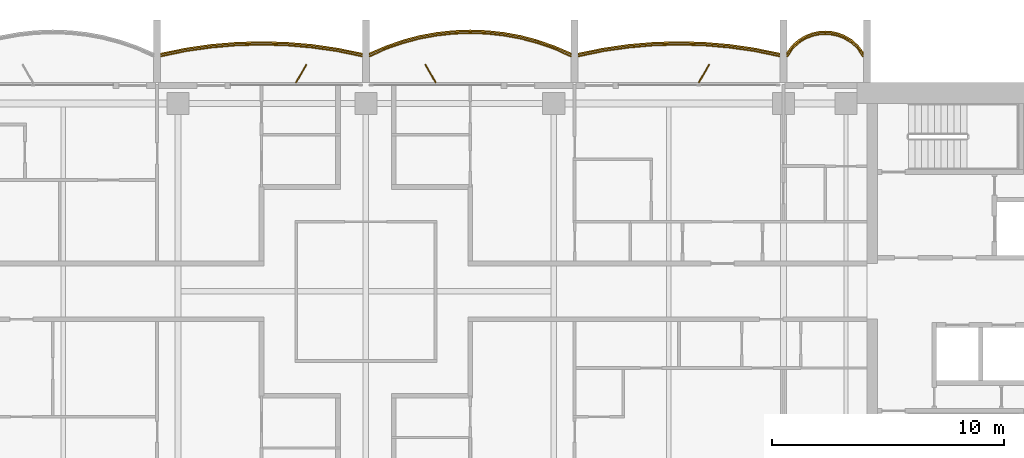
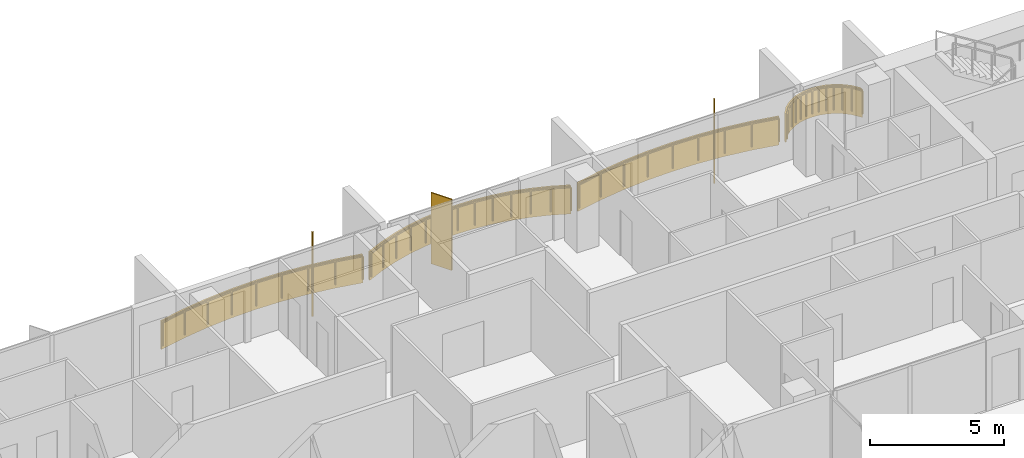
# One storey, part 18 of 18: 4 coverings, 4 railings, 3 shading devices.
"""IFC4 building model written with IfcOpenShell, lengths in metres."""

from ifc_helpers import new_model, si_unit, direction, frame, origin, origin_2d, place, context, subcontext, project, spatial, polyline, rectangle, outline, extrude, material, layer, layer_set, type_object, element, save


model = new_model("IFC4")

# Units and contexts
model_context = context("Model", 3, precision=1e-05, world=origin(), true_north=direction((0.0, 1.0)))
body_context = subcontext(model_context, "Body", "Model", "MODEL_VIEW")
ifc_project = project(units=[si_unit("LENGTHUNIT", "METRE"), si_unit("AREAUNIT", "SQUARE_METRE"), si_unit("VOLUMEUNIT", "CUBIC_METRE"), si_unit("PLANEANGLEUNIT", "RADIAN"), si_unit("MASSUNIT", "GRAM", prefix="KILO")], contexts=[model_context])

# Site, building, storey
site_placement = place(None, origin())
site = spatial("IfcSite", under=ifc_project, at=site_placement, CompositionType="ELEMENT")
building_placement = place(site_placement, origin())
building = spatial("IfcBuilding", under=site, at=building_placement, Name="Perihelion Cross Residences", CompositionType="ELEMENT")
storey_placement = place(building_placement, frame((0.0, 0.0, 173.60009765625)))
storey = spatial("IfcBuildingStorey", under=building, at=storey_placement, Name="L42", CompositionType="ELEMENT", Elevation=173.60009765625)

# Coverings
ifc_material_1 = material(Name="Bronze anodised aluminium", Category="aluminium")
ifc_layer_1 = layer(ifc_material_1, 0.070068359375)
ifc_layer_set_1 = layer_set([ifc_layer_1], Name="Balcony fascia 1300")
covering_type = type_object("IfcCoveringType", Name="Balcony fascia 1300", PredefinedType="CLADDING", material=ifc_layer_set_1)
covering_1_placement = place(storey_placement, frame((0.0, 0.0, -0.2001953125)))
element("IfcCovering", 1, at=covering_1_placement, inside=storey, type_object=covering_type, Name="Fascia BF1 L42 east side north bay 1", PredefinedType="CLADDING", context=body_context, shape_type="SweptSolid", body=[
    extrude(outline(polyline([(21.226318359375, 10.616455078125), (20.94091796875, 10.86328125), (20.655517578125, 11.031494140625), (20.370361328125, 11.142578125), (20.085205078125, 11.206298828125), (19.800048828125, 11.22705078125), (19.514892578125, 11.206298828125), (19.229736328125, 11.142578125), (18.9443359375, 11.031494140625), (18.6591796875, 10.86328125), (18.373779296875, 10.616455078125), (18.14990234375, 10.31689453125), (18.14990234375, 10.199951171875), (18.425048828125, 10.568603515625), (18.699951171875, 10.806396484375), (18.97509765625, 10.96875), (19.25, 11.07568359375), (19.52490234375, 11.136962890625), (19.800048828125, 11.156982421875), (20.074951171875, 11.136962890625), (20.35009765625, 11.07568359375), (20.625, 10.96875), (20.89990234375, 10.806396484375), (21.175048828125, 10.568603515625), (21.449951171875, 10.199951171875), (21.449951171875, 10.31689453125), (21.226318359375, 10.616455078125)])), origin(), (0.0, 0.0, 1.0), 1.300048828125),
])
covering_2_placement = place(storey_placement, frame((0.0, 0.0, -0.2001953125)))
element("IfcCovering", 2, at=covering_2_placement, inside=storey, type_object=covering_type, Name="Fascia BF1 L42 east side north bay 2", PredefinedType="CLADDING", context=body_context, shape_type="SweptSolid", body=[
    extrude(outline(polyline([(16.7744140625, 10.4892578125), (15.682861328125, 10.645751953125), (14.591552734375, 10.739013671875), (13.5, 10.77001953125), (12.408447265625, 10.739013671875), (11.317138671875, 10.645751953125), (10.2255859375, 10.4892578125), (9.14990234375, 10.271484375), (9.14990234375, 10.199951171875), (10.237548828125, 10.42041015625), (11.324951171875, 10.576171875), (12.41259765625, 10.669189453125), (13.5, 10.699951171875), (14.58740234375, 10.669189453125), (15.675048828125, 10.576171875), (16.762451171875, 10.42041015625), (17.85009765625, 10.199951171875), (17.85009765625, 10.271484375), (16.7744140625, 10.4892578125)])), origin(), (0.0, 0.0, 1.0), 1.300048828125),
])
covering_3_placement = place(storey_placement, frame((0.0, 0.0, -0.2001953125)))
element("IfcCovering", 3, at=covering_3_placement, inside=storey, type_object=covering_type, Name="Fascia BF1 L42 north side east bay 1", PredefinedType="CLADDING", context=body_context, shape_type="SweptSolid", body=[
    extrude(outline(polyline([(8.150634765625, 10.582275390625), (7.42041015625, 10.83544921875), (6.690185546875, 11.028076171875), (5.960205078125, 11.1630859375), (5.22998046875, 11.243408203125), (4.5, 11.27001953125), (3.77001953125, 11.243408203125), (3.039794921875, 11.1630859375), (2.309814453125, 11.028076171875), (1.57958984375, 10.83544921875), (0.849365234375, 10.582275390625), (0.14990234375, 10.2763671875), (0.14990234375, 10.199951171875), (0.875, 10.51708984375), (1.60009765625, 10.7685546875), (2.324951171875, 10.959716796875), (3.050048828125, 11.093994140625), (3.77490234375, 11.173583984375), (4.5, 11.199951171875), (5.22509765625, 11.173583984375), (5.949951171875, 11.093994140625), (6.675048828125, 10.959716796875), (7.39990234375, 10.7685546875), (8.125, 10.51708984375), (8.85009765625, 10.199951171875), (8.85009765625, 10.2763671875), (8.150634765625, 10.582275390625)])), origin(), (0.0, 0.0, 1.0), 1.300048828125),
])
covering_4_placement = place(storey_placement, frame((0.0, 0.0, -0.2001953125)))
element("IfcCovering", 4, at=covering_4_placement, inside=storey, type_object=covering_type, Name="Fascia BF1 L42 north side east bay 2", PredefinedType="CLADDING", context=body_context, shape_type="SweptSolid", body=[
    extrude(outline(polyline([(-1.2255859375, 10.4892578125), (-2.317138671875, 10.645751953125), (-3.408447265625, 10.739013671875), (-4.5, 10.77001953125), (-5.591552734375, 10.739013671875), (-6.682861328125, 10.645751953125), (-7.7744140625, 10.4892578125), (-8.85009765625, 10.271484375), (-8.85009765625, 10.199951171875), (-7.762451171875, 10.42041015625), (-6.675048828125, 10.576171875), (-5.58740234375, 10.669189453125), (-4.5, 10.699951171875), (-3.41259765625, 10.669189453125), (-2.324951171875, 10.576171875), (-1.237548828125, 10.42041015625), (-0.14990234375, 10.199951171875), (-0.14990234375, 10.271484375), (-1.2255859375, 10.4892578125)])), origin(), (0.0, 0.0, 1.0), 1.300048828125),
])

# Railings
ifc_material_2 = material(Name="Bronze anodised aluminium", Category="aluminium")
railing_type = type_object("IfcRailingType", Name="Balcony guard 1100", PredefinedType="GUARDRAIL", material=ifc_material_2)
railing_1_placement = place(storey_placement, frame((21.425048828125, 10.139892578125, 0.0)))
element("IfcRailing", 5, at=railing_1_placement, inside=storey, type_object=railing_type, Name="Guard GU1 L42 east side north bay 1 balcony", PredefinedType="GUARDRAIL", context=body_context, shape_type="SweptSolid", body=[
    extrude(rectangle(XDim=0.048095703125, YDim=0.048095703125, at=origin_2d()), frame((0.0, 0.0, 1.076171875), z_axis=(-0.561260132269, 0.827639452857, 0.0), x_axis=(-0.827639452857, -0.561260132269, 0.0)), (0.0, 0.0, 1.0), 0.4453125),
    extrude(rectangle(XDim=0.048095703125, YDim=0.048095703125, at=origin_2d()), frame((-0.25, 0.36865234375, 1.076171875), z_axis=(-0.756596535164, 0.653882009982, 0.0), x_axis=(-0.653882009982, -0.756596535164, 0.0)), (0.0, 0.0, 1.0), 0.36376953125),
    extrude(rectangle(XDim=0.048095703125, YDim=0.048095703125, at=origin_2d()), frame((-0.525146484375, 0.6064453125, 1.076171875), z_axis=(-0.861048292884, 0.508523192511, 0.0), x_axis=(-0.508523192511, -0.861048292884, 0.0)), (0.0, 0.0, 1.0), 0.3193359375),
    extrude(rectangle(XDim=0.048095703125, YDim=0.048095703125, at=origin_2d()), frame((-0.800048828125, 0.768798828125, 1.076171875), z_axis=(-0.931973602183, 0.362526143656, 0.0), x_axis=(-0.362526143656, -0.931973602183, 0.0)), (0.0, 0.0, 1.0), 0.294921875),
    extrude(rectangle(XDim=0.048095703125, YDim=0.048095703125, at=origin_2d()), frame((-1.074951171875, 0.875732421875, 1.076171875), z_axis=(-0.976085059389, 0.21738895289, 0.0), x_axis=(-0.21738895289, -0.976085059389, 0.0)), (0.0, 0.0, 1.0), 0.281982421875),
    extrude(rectangle(XDim=0.048095703125, YDim=0.048095703125, at=origin_2d()), frame((-1.35009765625, 0.93701171875, 1.076171875), z_axis=(-0.997358821833, 0.072631814734, 0.0), x_axis=(-0.072631814734, -0.997358821833, 0.0)), (0.0, 0.0, 1.0), 0.275634765625),
    extrude(rectangle(XDim=0.048095703125, YDim=0.048095703125, at=origin_2d()), frame((-1.625, 0.95703125, 1.076171875), z_axis=(-0.997363488337, -0.072567707226, 0.0), x_axis=(0.072567707226, -0.997363488337, 0.0)), (0.0, 0.0, 1.0), 0.27587890625),
    extrude(rectangle(XDim=0.048095703125, YDim=0.048095703125, at=origin_2d()), frame((-1.900146484375, 0.93701171875, 1.076171875), z_axis=(-0.976044077717, -0.217572880557, 0.0), x_axis=(0.217572880557, -0.976044077717, 0.0)), (0.0, 0.0, 1.0), 0.28173828125),
    extrude(rectangle(XDim=0.048095703125, YDim=0.048095703125, at=origin_2d()), frame((-2.175048828125, 0.875732421875, 1.076171875), z_axis=(-0.931973602183, -0.362526143656, 0.0), x_axis=(0.362526143656, -0.931973602183, 0.0)), (0.0, 0.0, 1.0), 0.294921875),
    extrude(rectangle(XDim=0.048095703125, YDim=0.048095703125, at=origin_2d()), frame((-2.449951171875, 0.768798828125, 1.076171875), z_axis=(-0.861245845072, -0.508188542123, 0.0), x_axis=(0.508188542123, -0.861245845072, 0.0)), (0.0, 0.0, 1.0), 0.319580078125),
    extrude(rectangle(XDim=0.048095703125, YDim=0.048095703125, at=origin_2d()), frame((-2.72509765625, 0.6064453125, 1.076171875), z_axis=(-0.756309278473, -0.654214242658, 0.0), x_axis=(0.654214242658, -0.756309278473, 0.0)), (0.0, 0.0, 1.0), 0.363525390625),
    extrude(rectangle(XDim=0.048095703125, YDim=0.048095703125, at=origin_2d()), frame((-3.0, 0.36865234375, 1.076171875), z_axis=(-0.561260132269, -0.827639452857, 0.0), x_axis=(0.827639452857, -0.561260132269, 0.0)), (0.0, 0.0, 1.0), 0.4453125),
    extrude(rectangle(XDim=0.0419921875, YDim=0.0419921875, at=origin_2d()), origin(), (0.0, 0.0, 1.0), 1.052001953125),
    extrude(rectangle(XDim=0.0419921875, YDim=0.0419921875, at=origin_2d()), frame((-0.25, 0.36865234375, 0.0)), (0.0, 0.0, 1.0), 1.052001953125),
    extrude(rectangle(XDim=0.0419921875, YDim=0.0419921875, at=origin_2d()), frame((-0.525146484375, 0.6064453125, 0.0)), (0.0, 0.0, 1.0), 1.052001953125),
    extrude(rectangle(XDim=0.0419921875, YDim=0.0419921875, at=origin_2d()), frame((-0.800048828125, 0.768798828125, 0.0)), (0.0, 0.0, 1.0), 1.052001953125),
    extrude(rectangle(XDim=0.0419921875, YDim=0.0419921875, at=origin_2d()), frame((-1.074951171875, 0.875732421875, 0.0)), (0.0, 0.0, 1.0), 1.052001953125),
    extrude(rectangle(XDim=0.0419921875, YDim=0.0419921875, at=origin_2d()), frame((-1.35009765625, 0.93701171875, 0.0)), (0.0, 0.0, 1.0), 1.052001953125),
    extrude(rectangle(XDim=0.0419921875, YDim=0.0419921875, at=origin_2d()), frame((-1.625, 0.95703125, 0.0)), (0.0, 0.0, 1.0), 1.052001953125),
    extrude(rectangle(XDim=0.0419921875, YDim=0.0419921875, at=origin_2d()), frame((-1.900146484375, 0.93701171875, 0.0)), (0.0, 0.0, 1.0), 1.052001953125),
    extrude(rectangle(XDim=0.0419921875, YDim=0.0419921875, at=origin_2d()), frame((-2.175048828125, 0.875732421875, 0.0)), (0.0, 0.0, 1.0), 1.052001953125),
    extrude(rectangle(XDim=0.0419921875, YDim=0.0419921875, at=origin_2d()), frame((-2.449951171875, 0.768798828125, 0.0)), (0.0, 0.0, 1.0), 1.052001953125),
    extrude(rectangle(XDim=0.0419921875, YDim=0.0419921875, at=origin_2d()), frame((-2.72509765625, 0.6064453125, 0.0)), (0.0, 0.0, 1.0), 1.052001953125),
    extrude(rectangle(XDim=0.0419921875, YDim=0.0419921875, at=origin_2d()), frame((-3.0, 0.36865234375, 0.0)), (0.0, 0.0, 1.0), 1.052001953125),
    extrude(rectangle(XDim=0.0419921875, YDim=0.0419921875, at=origin_2d()), frame((-3.25, 0.0, 0.0)), (0.0, 0.0, 1.0), 1.052001953125),
])
railing_2_placement = place(storey_placement, frame((17.824951171875, 10.139892578125, 0.0)))
element("IfcRailing", 6, at=railing_2_placement, inside=storey, type_object=railing_type, Name="Guard GU1 L42 east side north bay 2 balcony", PredefinedType="GUARDRAIL", context=body_context, shape_type="SweptSolid", body=[
    extrude(rectangle(XDim=0.048095703125, YDim=0.048095703125, at=origin_2d()), frame((0.0, 0.0, 1.076171875), z_axis=(-0.979144816647, 0.203163549961, 0.0), x_axis=(-0.203163549961, -0.979144816647, 0.0)), (0.0, 0.0, 1.0), 1.085205078125),
    extrude(rectangle(XDim=0.048095703125, YDim=0.048095703125, at=origin_2d()), frame((-1.0625, 0.220458984375, 1.076171875), z_axis=(-0.98989608354, 0.141794724135, 0.0), x_axis=(-0.141794724135, -0.98989608354, 0.0)), (0.0, 0.0, 1.0), 1.098388671875),
    extrude(rectangle(XDim=0.048095703125, YDim=0.048095703125, at=origin_2d()), frame((-2.14990234375, 0.376220703125, 1.076171875), z_axis=(-0.996362942492, 0.085210837506, 0.0), x_axis=(-0.085210837506, -0.996362942492, 0.0)), (0.0, 0.0, 1.0), 1.091552734375),
    extrude(rectangle(XDim=0.048095703125, YDim=0.048095703125, at=origin_2d()), frame((-3.237548828125, 0.46923828125, 1.076171875), z_axis=(-0.999600101203, 0.028277865458, 0.0), x_axis=(-0.028277865458, -0.999600101203, 0.0)), (0.0, 0.0, 1.0), 1.087890625),
    extrude(rectangle(XDim=0.048095703125, YDim=0.048095703125, at=origin_2d()), frame((-4.324951171875, 0.5, 1.076171875), z_axis=(-0.999600101203, -0.028277865458, 0.0), x_axis=(0.028277865458, -0.999600101203, 0.0)), (0.0, 0.0, 1.0), 1.087890625),
    extrude(rectangle(XDim=0.048095703125, YDim=0.048095703125, at=origin_2d()), frame((-5.412353515625, 0.46923828125, 1.076171875), z_axis=(-0.996362942492, -0.085210837506, 0.0), x_axis=(0.085210837506, -0.996362942492, 0.0)), (0.0, 0.0, 1.0), 1.091552734375),
    extrude(rectangle(XDim=0.048095703125, YDim=0.048095703125, at=origin_2d()), frame((-6.5, 0.376220703125, 1.076171875), z_axis=(-0.98989608354, -0.141794724135, 0.0), x_axis=(0.141794724135, -0.98989608354, 0.0)), (0.0, 0.0, 1.0), 1.098388671875),
    extrude(rectangle(XDim=0.048095703125, YDim=0.048095703125, at=origin_2d()), frame((-7.58740234375, 0.220458984375, 1.076171875), z_axis=(-0.979144816647, -0.203163549961, 0.0), x_axis=(0.203163549961, -0.979144816647, 0.0)), (0.0, 0.0, 1.0), 1.085205078125),
    extrude(rectangle(XDim=0.0419921875, YDim=0.0419921875, at=origin_2d()), origin(), (0.0, 0.0, 1.0), 1.052001953125),
    extrude(rectangle(XDim=0.0419921875, YDim=0.0419921875, at=origin_2d()), frame((-1.0625, 0.220458984375, 0.0)), (0.0, 0.0, 1.0), 1.052001953125),
    extrude(rectangle(XDim=0.0419921875, YDim=0.0419921875, at=origin_2d()), frame((-2.14990234375, 0.376220703125, 0.0)), (0.0, 0.0, 1.0), 1.052001953125),
    extrude(rectangle(XDim=0.0419921875, YDim=0.0419921875, at=origin_2d()), frame((-3.237548828125, 0.46923828125, 0.0)), (0.0, 0.0, 1.0), 1.052001953125),
    extrude(rectangle(XDim=0.0419921875, YDim=0.0419921875, at=origin_2d()), frame((-4.324951171875, 0.5, 0.0)), (0.0, 0.0, 1.0), 1.052001953125),
    extrude(rectangle(XDim=0.0419921875, YDim=0.0419921875, at=origin_2d()), frame((-5.412353515625, 0.46923828125, 0.0)), (0.0, 0.0, 1.0), 1.052001953125),
    extrude(rectangle(XDim=0.0419921875, YDim=0.0419921875, at=origin_2d()), frame((-6.5, 0.376220703125, 0.0)), (0.0, 0.0, 1.0), 1.052001953125),
    extrude(rectangle(XDim=0.0419921875, YDim=0.0419921875, at=origin_2d()), frame((-7.58740234375, 0.220458984375, 0.0)), (0.0, 0.0, 1.0), 1.052001953125),
    extrude(rectangle(XDim=0.0419921875, YDim=0.0419921875, at=origin_2d()), frame((-8.64990234375, 0.0, 0.0)), (0.0, 0.0, 1.0), 1.052001953125),
])
railing_3_placement = place(storey_placement, frame((8.824951171875, 10.139892578125, 0.0)))
element("IfcRailing", 7, at=railing_3_placement, inside=storey, type_object=railing_type, Name="Guard GU1 L42 north side east bay 1 balcony", PredefinedType="GUARDRAIL", context=body_context, shape_type="SweptSolid", body=[
    extrude(rectangle(XDim=0.048095703125, YDim=0.048095703125, at=origin_2d()), frame((0.0, 0.0, 1.076171875), z_axis=(-0.910866309087, 0.412701547089, 0.0), x_axis=(-0.412701547089, -0.910866309087, 0.0)), (0.0, 0.0, 1.0), 0.7685546875),
    extrude(rectangle(XDim=0.048095703125, YDim=0.048095703125, at=origin_2d()), frame((-0.699951171875, 0.317138671875, 1.076171875), z_axis=(-0.944796812452, 0.327656807012, 0.0), x_axis=(-0.327656807012, -0.944796812452, 0.0)), (0.0, 0.0, 1.0), 0.767578125),
    extrude(rectangle(XDim=0.048095703125, YDim=0.048095703125, at=origin_2d()), frame((-1.425048828125, 0.568603515625, 1.076171875), z_axis=(-0.966939404945, 0.255006249266, 0.0), x_axis=(-0.255006249266, -0.966939404945, 0.0)), (0.0, 0.0, 1.0), 0.749755859375),
    extrude(rectangle(XDim=0.048095703125, YDim=0.048095703125, at=origin_2d()), frame((-2.14990234375, 0.759765625, 1.076171875), z_axis=(-0.983282004984, 0.182089260182, 0.0), x_axis=(-0.182089260182, -0.983282004984, 0.0)), (0.0, 0.0, 1.0), 0.7373046875),
    extrude(rectangle(XDim=0.048095703125, YDim=0.048095703125, at=origin_2d()), frame((-2.875, 0.89404296875, 1.076171875), z_axis=(-0.994025805622, 0.109145305703, 0.0), x_axis=(-0.109145305703, -0.994025805622, 0.0)), (0.0, 0.0, 1.0), 0.729248046875),
    extrude(rectangle(XDim=0.048095703125, YDim=0.048095703125, at=origin_2d()), frame((-3.599853515625, 0.9736328125, 1.076171875), z_axis=(-0.999339497946, 0.036339618107, 0.0), x_axis=(-0.036339618107, -0.999339497946, 0.0)), (0.0, 0.0, 1.0), 0.7255859375),
    extrude(rectangle(XDim=0.048095703125, YDim=0.048095703125, at=origin_2d()), frame((-4.324951171875, 1.0, 1.076171875), z_axis=(-0.999339497946, -0.036339618107, 0.0), x_axis=(0.036339618107, -0.999339497946, 0.0)), (0.0, 0.0, 1.0), 0.7255859375),
    extrude(rectangle(XDim=0.048095703125, YDim=0.048095703125, at=origin_2d()), frame((-5.050048828125, 0.9736328125, 1.076171875), z_axis=(-0.994025805622, -0.109145305703, 0.0), x_axis=(0.109145305703, -0.994025805622, 0.0)), (0.0, 0.0, 1.0), 0.729248046875),
    extrude(rectangle(XDim=0.048095703125, YDim=0.048095703125, at=origin_2d()), frame((-5.77490234375, 0.89404296875, 1.076171875), z_axis=(-0.983282004984, -0.182089260182, 0.0), x_axis=(0.182089260182, -0.983282004984, 0.0)), (0.0, 0.0, 1.0), 0.7373046875),
    extrude(rectangle(XDim=0.048095703125, YDim=0.048095703125, at=origin_2d()), frame((-6.5, 0.759765625, 1.076171875), z_axis=(-0.966939404945, -0.255006249266, 0.0), x_axis=(0.255006249266, -0.966939404945, 0.0)), (0.0, 0.0, 1.0), 0.749755859375),
    extrude(rectangle(XDim=0.048095703125, YDim=0.048095703125, at=origin_2d()), frame((-7.224853515625, 0.568603515625, 1.076171875), z_axis=(-0.944796812452, -0.327656807012, 0.0), x_axis=(0.327656807012, -0.944796812452, 0.0)), (0.0, 0.0, 1.0), 0.767578125),
    extrude(rectangle(XDim=0.048095703125, YDim=0.048095703125, at=origin_2d()), frame((-7.949951171875, 0.317138671875, 1.076171875), z_axis=(-0.910866309087, -0.412701547089, 0.0), x_axis=(0.412701547089, -0.910866309087, 0.0)), (0.0, 0.0, 1.0), 0.7685546875),
    extrude(rectangle(XDim=0.0419921875, YDim=0.0419921875, at=origin_2d()), origin(), (0.0, 0.0, 1.0), 1.052001953125),
    extrude(rectangle(XDim=0.0419921875, YDim=0.0419921875, at=origin_2d()), frame((-0.699951171875, 0.317138671875, 0.0)), (0.0, 0.0, 1.0), 1.052001953125),
    extrude(rectangle(XDim=0.0419921875, YDim=0.0419921875, at=origin_2d()), frame((-1.425048828125, 0.568603515625, 0.0)), (0.0, 0.0, 1.0), 1.052001953125),
    extrude(rectangle(XDim=0.0419921875, YDim=0.0419921875, at=origin_2d()), frame((-2.14990234375, 0.759765625, 0.0)), (0.0, 0.0, 1.0), 1.052001953125),
    extrude(rectangle(XDim=0.0419921875, YDim=0.0419921875, at=origin_2d()), frame((-2.875, 0.89404296875, 0.0)), (0.0, 0.0, 1.0), 1.052001953125),
    extrude(rectangle(XDim=0.0419921875, YDim=0.0419921875, at=origin_2d()), frame((-3.599853515625, 0.9736328125, 0.0)), (0.0, 0.0, 1.0), 1.052001953125),
    extrude(rectangle(XDim=0.0419921875, YDim=0.0419921875, at=origin_2d()), frame((-4.324951171875, 1.0, 0.0)), (0.0, 0.0, 1.0), 1.052001953125),
    extrude(rectangle(XDim=0.0419921875, YDim=0.0419921875, at=origin_2d()), frame((-5.050048828125, 0.9736328125, 0.0)), (0.0, 0.0, 1.0), 1.052001953125),
    extrude(rectangle(XDim=0.0419921875, YDim=0.0419921875, at=origin_2d()), frame((-5.77490234375, 0.89404296875, 0.0)), (0.0, 0.0, 1.0), 1.052001953125),
    extrude(rectangle(XDim=0.0419921875, YDim=0.0419921875, at=origin_2d()), frame((-6.5, 0.759765625, 0.0)), (0.0, 0.0, 1.0), 1.052001953125),
    extrude(rectangle(XDim=0.0419921875, YDim=0.0419921875, at=origin_2d()), frame((-7.224853515625, 0.568603515625, 0.0)), (0.0, 0.0, 1.0), 1.052001953125),
    extrude(rectangle(XDim=0.0419921875, YDim=0.0419921875, at=origin_2d()), frame((-7.949951171875, 0.317138671875, 0.0)), (0.0, 0.0, 1.0), 1.052001953125),
    extrude(rectangle(XDim=0.0419921875, YDim=0.0419921875, at=origin_2d()), frame((-8.64990234375, 0.0, 0.0)), (0.0, 0.0, 1.0), 1.052001953125),
])
railing_4_placement = place(storey_placement, frame((-0.175048828125, 10.139892578125, 0.0)))
element("IfcRailing", 8, at=railing_4_placement, inside=storey, type_object=railing_type, Name="Guard GU1 L42 north side east bay 2 balcony", PredefinedType="GUARDRAIL", context=body_context, shape_type="SweptSolid", body=[
    extrude(rectangle(XDim=0.048095703125, YDim=0.048095703125, at=origin_2d()), frame((0.0, 0.0, 1.076171875), z_axis=(-0.979144816647, 0.203163549961, 0.0), x_axis=(-0.203163549961, -0.979144816647, 0.0)), (0.0, 0.0, 1.0), 1.085205078125),
    extrude(rectangle(XDim=0.048095703125, YDim=0.048095703125, at=origin_2d()), frame((-1.0625, 0.220458984375, 1.076171875), z_axis=(-0.98989608354, 0.141794724135, 0.0), x_axis=(-0.141794724135, -0.98989608354, 0.0)), (0.0, 0.0, 1.0), 1.098388671875),
    extrude(rectangle(XDim=0.048095703125, YDim=0.048095703125, at=origin_2d()), frame((-2.14990234375, 0.376220703125, 1.076171875), z_axis=(-0.996362942492, 0.085210837506, 0.0), x_axis=(-0.085210837506, -0.996362942492, 0.0)), (0.0, 0.0, 1.0), 1.091552734375),
    extrude(rectangle(XDim=0.048095703125, YDim=0.048095703125, at=origin_2d()), frame((-3.237548828125, 0.46923828125, 1.076171875), z_axis=(-0.999600101203, 0.028277865458, 0.0), x_axis=(-0.028277865458, -0.999600101203, 0.0)), (0.0, 0.0, 1.0), 1.087890625),
    extrude(rectangle(XDim=0.048095703125, YDim=0.048095703125, at=origin_2d()), frame((-4.324951171875, 0.5, 1.076171875), z_axis=(-0.999600101203, -0.028277865458, 0.0), x_axis=(0.028277865458, -0.999600101203, 0.0)), (0.0, 0.0, 1.0), 1.087890625),
    extrude(rectangle(XDim=0.048095703125, YDim=0.048095703125, at=origin_2d()), frame((-5.412353515625, 0.46923828125, 1.076171875), z_axis=(-0.996362942492, -0.085210837506, 0.0), x_axis=(0.085210837506, -0.996362942492, 0.0)), (0.0, 0.0, 1.0), 1.091552734375),
    extrude(rectangle(XDim=0.048095703125, YDim=0.048095703125, at=origin_2d()), frame((-6.5, 0.376220703125, 1.076171875), z_axis=(-0.98989608354, -0.141794724135, 0.0), x_axis=(0.141794724135, -0.98989608354, 0.0)), (0.0, 0.0, 1.0), 1.098388671875),
    extrude(rectangle(XDim=0.048095703125, YDim=0.048095703125, at=origin_2d()), frame((-7.58740234375, 0.220458984375, 1.076171875), z_axis=(-0.979144816647, -0.203163549961, 0.0), x_axis=(0.203163549961, -0.979144816647, 0.0)), (0.0, 0.0, 1.0), 1.085205078125),
    extrude(rectangle(XDim=0.0419921875, YDim=0.0419921875, at=origin_2d()), origin(), (0.0, 0.0, 1.0), 1.052001953125),
    extrude(rectangle(XDim=0.0419921875, YDim=0.0419921875, at=origin_2d()), frame((-1.0625, 0.220458984375, 0.0)), (0.0, 0.0, 1.0), 1.052001953125),
    extrude(rectangle(XDim=0.0419921875, YDim=0.0419921875, at=origin_2d()), frame((-2.14990234375, 0.376220703125, 0.0)), (0.0, 0.0, 1.0), 1.052001953125),
    extrude(rectangle(XDim=0.0419921875, YDim=0.0419921875, at=origin_2d()), frame((-3.237548828125, 0.46923828125, 0.0)), (0.0, 0.0, 1.0), 1.052001953125),
    extrude(rectangle(XDim=0.0419921875, YDim=0.0419921875, at=origin_2d()), frame((-4.324951171875, 0.5, 0.0)), (0.0, 0.0, 1.0), 1.052001953125),
    extrude(rectangle(XDim=0.0419921875, YDim=0.0419921875, at=origin_2d()), frame((-5.412353515625, 0.46923828125, 0.0)), (0.0, 0.0, 1.0), 1.052001953125),
    extrude(rectangle(XDim=0.0419921875, YDim=0.0419921875, at=origin_2d()), frame((-6.5, 0.376220703125, 0.0)), (0.0, 0.0, 1.0), 1.052001953125),
    extrude(rectangle(XDim=0.0419921875, YDim=0.0419921875, at=origin_2d()), frame((-7.58740234375, 0.220458984375, 0.0)), (0.0, 0.0, 1.0), 1.052001953125),
    extrude(rectangle(XDim=0.0419921875, YDim=0.0419921875, at=origin_2d()), frame((-8.64990234375, 0.0, 0.0)), (0.0, 0.0, 1.0), 1.052001953125),
])

# Shading devices
ifc_material_3 = material(Name="Bronze anodised aluminium", Category="aluminium")
ifc_layer_2 = layer(ifc_material_3, 0.050048828125)
ifc_layer_set_2 = layer_set([ifc_layer_2], Name="Bronze fin 900")
shading_device_type = type_object("IfcShadingDeviceType", Name="Bronze fin 900", PredefinedType="USERDEFINED", material=ifc_layer_set_2)
for number, where, z_axis, x_axis, name in (
    (9, (14.574951171875, 9.3896484375, 0.0), (0.0, 0.0, 1.0), (0.5, 0.866025403784, 0.0), "Fin FN1 L42 east side north bay 2"),
    (10, (2.78759765625, 9.3896484375, 0.0), (0.0, 0.0, 1.0), (-0.5, 0.866025403784, 0.0), "Fin FN1 L42 north side east bay 1"),
    (11, (-2.78759765625, 9.3896484375, 0.0), (0.0, 0.0, 1.0), (0.5, 0.866025403784, 0.0), "Fin FN1 L42 north side east bay 2"),
):
    element("IfcShadingDevice", number, at=place(storey_placement, frame(where, z_axis=z_axis, x_axis=x_axis)), inside=storey, type_object=shading_device_type, Name=name, ObjectType="FIN", PredefinedType="USERDEFINED", context=body_context, shape_type="SweptSolid", body=[
        extrude(rectangle(XDim=0.89990234375, YDim=0.050048828125, at=origin_2d()), origin(), (0.0, 0.0, 1.0), 3.25),
    ])

save(model, "model.ifc")
